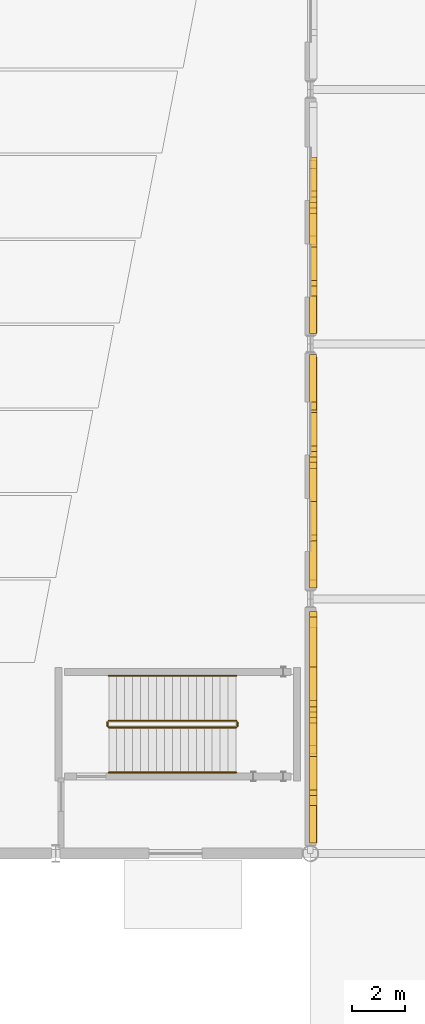
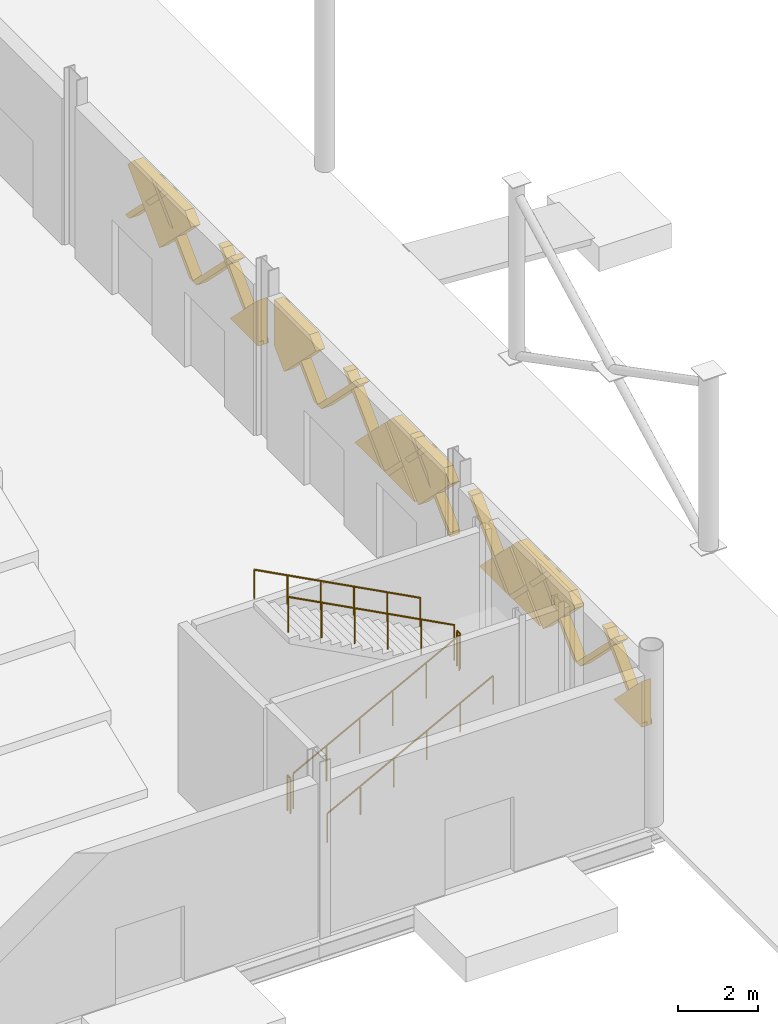
# One storey, part 82 of 84: 22 coverings, 6 railings.
"""IFC4 building model written with IfcOpenShell, lengths in metres."""

from ifc_helpers import new_model, si_unit, direction, frame, origin, origin_2d, place, context, subcontext, project, spatial, polyline, circle, outline, extrude, material, layer, layer_set, type_object, element, save


model = new_model("IFC4")

# Units and contexts
model_context = context("Model", 3, precision=1e-05, world=origin(), true_north=direction((0.0, 1.0)))
body_context = subcontext(model_context, "Body", "Model", "MODEL_VIEW")
ifc_project = project(units=[si_unit("LENGTHUNIT", "METRE"), si_unit("AREAUNIT", "SQUARE_METRE"), si_unit("VOLUMEUNIT", "CUBIC_METRE"), si_unit("PLANEANGLEUNIT", "RADIAN"), si_unit("MASSUNIT", "GRAM", prefix="KILO")], contexts=[model_context])

# Site, building, storey
site_placement = place(None, origin())
site = spatial("IfcSite", under=ifc_project, at=site_placement, CompositionType="ELEMENT")
building_placement = place(site_placement, origin())
building = spatial("IfcBuilding", under=site, at=building_placement, Name="Zevrakil Square Congress Hotel", CompositionType="ELEMENT")
storey_placement = place(building_placement, origin())
storey = spatial("IfcBuildingStorey", under=building, at=storey_placement, Name="L01", CompositionType="ELEMENT", Elevation=0.0)

# Coverings
ifc_material_1 = material(Name="Architectural White Fibre-C GRC", Category="concrete")
ifc_layer_1 = layer(ifc_material_1, 0.06494140625)
ifc_layer_set_1 = layer_set([ifc_layer_1], Name="Architectural White Fibre-C GRC")
covering_type_1 = type_object("IfcCoveringType", Name="COV-DIA-WHITE", PredefinedType="CLADDING", material=ifc_layer_set_1)
covering_1_placement = place(storey_placement, frame((165.830078125, 66.610107421875, 2.6298828125), z_axis=(0.999999760208, 0.0, 0.00069252061), x_axis=(0.0, -1.0, 0.0)))
element("IfcCovering", 1, at=covering_1_placement, inside=storey, type_object=covering_type_1, Name="L01 45-degree white GRC diamond facade cassette 875", PredefinedType="CLADDING", context=body_context, shape_type="SweptSolid", body=[
    extrude(outline(polyline([(0.0, 0.0), (1.41015625, 0.0), (1.41015625, -1.4101565881448694), (0.0, 0.0)])), origin(), (0.0, 0.0, -1.0), 0.27001953125),
])
covering_2_placement = place(storey_placement, frame((165.8291015625, 71.820068359375, 4.139892578125), z_axis=(0.999999790873, 0.0, 0.000646725815), x_axis=(0.000457304257, 0.707106707249, -0.707106707249)))
element("IfcCovering", 2, at=covering_2_placement, inside=storey, type_object=covering_type_1, Name="L01 45-degree white GRC diamond facade cassette 876", PredefinedType="CLADDING", context=body_context, shape_type="SweptSolid", body=[
    extrude(outline(polyline([(0.0, 0.0), (2.1354765131557993, 0.0), (4.465861884739297e-07, -2.1354765131557527), (0.0, 0.0)])), origin(), (0.0, 0.0, -1.0), 0.27001953125),
])
covering_3_placement = place(storey_placement, frame((165.8291015625, 71.72998046875, 4.22998046875), z_axis=(0.999999852381, 0.0, 0.00054335861), x_axis=(0.000384212577, -0.70710674489, -0.7071067131)))
element("IfcCovering", 3, at=covering_3_placement, inside=storey, type_object=covering_type_1, Name="L01 45-degree white GRC diamond facade cassette 877", PredefinedType="CLADDING", context=body_context, shape_type="SweptSolid", body=[
    extrude(outline(polyline([(0.0, 0.0), (2.248723975715265, 2.220446049250313e-16), (2.248551111376305, -2.248551342214891), (1.8031566423772092, -2.2485513802800514), (-8.378981605772218e-08, -0.4453944689990894), (0.0, 0.0)])), origin(), (0.0, 0.0, -1.0), 0.27001953125),
])
covering_4_placement = place(storey_placement, frame((165.8291015625, 78.06005859375, 4.139892578125), z_axis=(0.999999790873, 0.0, 0.000646725815), x_axis=(0.000457304257, 0.707106707249, -0.707106707249)))
element("IfcCovering", 4, at=covering_4_placement, inside=storey, type_object=covering_type_1, Name="L01 45-degree white GRC diamond facade cassette 908", PredefinedType="CLADDING", context=body_context, shape_type="SweptSolid", body=[
    extrude(outline(polyline([(0.0, 0.0), (2.1354765131557993, 0.0), (4.465861884739297e-07, -2.1354765131557527), (0.0, 0.0)])), origin(), (0.0, 0.0, -1.0), 0.27001953125),
])
covering_5_placement = place(storey_placement, frame((165.8291015625, 77.969970703125, 4.22998046875), z_axis=(0.999999853145, -7.12395e-07, 0.000541949885), x_axis=(0.000382712719, -0.70710674487, -0.707106713934)))
element("IfcCovering", 5, at=covering_5_placement, inside=storey, type_object=covering_type_1, Name="L01 45-degree white GRC diamond facade cassette 909", PredefinedType="CLADDING", context=body_context, shape_type="SweptSolid", body=[
    extrude(outline(polyline([(0.0, 0.0), (2.248723975910066, 2.220446049250313e-16), (2.248551111001002, -2.2343953970185124), (2.2343951660443135, -2.248551340510187), (1.803156642421577, -2.2485513802957735), (-8.369280657394285e-08, -0.44539446896308466), (0.0, 0.0)])), origin(), (0.0, 0.0, -1.0), 0.27001953125),
])
covering_6_placement = place(storey_placement, frame((165.829833984375, 83.10009765625, 2.639892578125), z_axis=(0.999999856777, 2.6416517e-05, 0.00053455357), x_axis=(-0.000359307179, -0.707106744967, 0.707106726117)))
element("IfcCovering", 6, at=covering_6_placement, inside=storey, type_object=covering_type_1, Name="L01 45-degree white GRC diamond facade cassette 910", PredefinedType="CLADDING", context=body_context, shape_type="SweptSolid", body=[
    extrude(outline(polyline([(0.0, 0.0), (2.2487239782945556, 4.440892098500626e-16), (2.2487240600795424, -0.44539446987381626), (0.9935060076735642, -1.7006126499939476), (7.829672288295342e-08, -0.7071068223993595), (0.0, 0.0)])), origin(), (0.0, 0.0, -1.0), 0.27001953125),
])
covering_7_placement = place(storey_placement, frame((165.830078125, 85.81005859375, 2.6298828125), z_axis=(0.999999760208, 0.0, 0.00069252061), x_axis=(0.0, -1.0, 0.0)))
element("IfcCovering", 7, at=covering_7_placement, inside=storey, type_object=covering_type_1, Name="L01 45-degree white GRC diamond facade cassette 940", PredefinedType="CLADDING", context=body_context, shape_type="SweptSolid", body=[
    extrude(outline(polyline([(0.0, 0.0), (1.41015625, 0.0), (1.41015625, -1.4101565881448694), (0.0, 0.0)])), origin(), (0.0, 0.0, -1.0), 0.27001953125),
])
covering_8_placement = place(storey_placement, frame((165.8291015625, 90.929931640625, 4.22998046875), z_axis=(0.999999852381, 0.0, 0.00054335861), x_axis=(0.000384242074, -0.707052454375, -0.707160999434)))
element("IfcCovering", 8, at=covering_8_placement, inside=storey, type_object=covering_type_1, Name="L01 45-degree white GRC diamond facade cassette 942", PredefinedType="CLADDING", context=body_context, shape_type="SweptSolid", body=[
    extrude(outline(polyline([(0.0, 0.0), (2.248551348859632, 0.0), (2.248378471249448, -2.2487239690700145), (1.8029840035601115, -2.24868981178257), (-3.4279142421073105e-05, -0.44539446767997504), (0.0, 0.0)])), origin(), (0.0, 0.0, -1.0), 0.27001953125),
])
ifc_material_2 = material(Name="Anodised Champagne Aluminium", Category="aluminium")
ifc_layer_2 = layer(ifc_material_2, 0.0849609375)
ifc_layer_set_2 = layer_set([ifc_layer_2], Name="Anodised Champagne Aluminium")
covering_type_2 = type_object("IfcCoveringType", Name="COV-DIAGRID-45", PredefinedType="MOLDING", material=ifc_layer_set_2)
covering_9_placement = place(storey_placement, frame((165.85498046875, 65.2861328125, 2.6298828125), z_axis=(0.99999987696, 0.000193286265, 0.000456858444), x_axis=(0.000193286245, -0.99999998132, 8.8304e-08)))
element("IfcCovering", 9, at=covering_9_placement, inside=storey, type_object=covering_type_2, Name="L01 45-degree aluminium diagrid rib 878", PredefinedType="MOLDING", context=body_context, shape_type="SweptSolid", body=[
    extrude(outline(polyline([(0.0, 0.0), (0.08618163901514503, 0.0), (0.08618165016099655, -0.12622068995262908), (-1.702880894404168, -1.915039420335393), (-1.9150390935660973, -1.915039420335393), (0.0, 0.0)])), origin(), (0.0, 0.0, -1.0), 0.294921875),
])
for number, where, z_axis, x_axis, name in (
    (10, (165.85498046875, 68.64599609375, 2.6298828125), (0.999999796842, 0.0, 0.000637429753), (0.0, -1.0, 0.0), "L01 45-degree aluminium diagrid rib 879"),
    (11, (165.85498046875, 72.006103515625, 2.6298828125), (0.999999796842, 0.0, 0.000637429753), (0.0, -1.0, 0.0), "L01 45-degree aluminium diagrid rib 880"),
):
    element("IfcCovering", number, at=place(storey_placement, frame(where, z_axis=z_axis, x_axis=x_axis)), inside=storey, type_object=covering_type_2, Name=name, PredefinedType="MOLDING", context=body_context, shape_type="SweptSolid", body=[
        extrude(outline(polyline([(0.0, 0.0), (0.212158203125, 0.0), (-1.702880859375, -1.9150394515562854), (-1.9150390625, -1.9150394515562854), (0.0, 0.0)])), origin(), (0.0, 0.0, -1.0), 0.294921875),
    ])
covering_10_placement = place(storey_placement, frame((165.853759765625, 66.35888671875, 4.544921875), z_axis=(0.999999796842, 0.0, 0.000637429753), x_axis=(0.0, 1.0, 0.0)))
element("IfcCovering", 12, at=covering_10_placement, inside=storey, type_object=covering_type_2, Name="L01 45-degree aluminium diagrid rib 881", PredefinedType="MOLDING", context=body_context, shape_type="SweptSolid", body=[
    extrude(outline(polyline([(0.0, 0.0), (0.212158203125, 0.0), (2.127197265625, -1.9150394515562854), (1.9150390625, -1.9150394515562854), (0.0, 0.0)])), origin(), (0.0, 0.0, -1.0), 0.294921875),
])
covering_11_placement = place(storey_placement, frame((165.853759765625, 69.718994140625, 4.544921875), z_axis=(0.999999796842, 0.0, 0.000637429753), x_axis=(0.0, 1.0, 0.0)))
element("IfcCovering", 13, at=covering_11_placement, inside=storey, type_object=covering_type_2, Name="L01 45-degree aluminium diagrid rib 882", PredefinedType="MOLDING", context=body_context, shape_type="SweptSolid", body=[
    extrude(outline(polyline([(0.0, 0.0), (0.212158203125, 0.0), (2.127197265625, -1.9150394515562854), (1.914794921875, -1.9150394515562854), (0.0, 0.0)])), origin(), (0.0, 0.0, -1.0), 0.294921875),
])
covering_12_placement = place(storey_placement, frame((165.85498046875, 74.885986328125, 2.6298828125), z_axis=(0.999999876977, 0.000193407177, 0.000456770142), x_axis=(0.000193407157, -0.999999981297, 8.8343e-08)))
element("IfcCovering", 14, at=covering_12_placement, inside=storey, type_object=covering_type_2, Name="L01 45-degree aluminium diagrid rib 911", PredefinedType="MOLDING", context=body_context, shape_type="SweptSolid", body=[
    extrude(outline(polyline([(0.0, 0.0), (0.08593749839269647, 1.137373342260413e-24), (0.08593750954336479, -0.12622068995772054), (-1.7028808944388751, -1.915039420304851), (-1.9150390935958446, -1.915039420304851), (0.0, 0.0)])), origin(), (0.0, 0.0, -1.0), 0.294921875),
])
covering_13_placement = place(storey_placement, frame((165.85498046875, 78.24609375, 2.6298828125), z_axis=(0.999999796842, 0.0, 0.000637429753), x_axis=(0.0, -1.0, 0.0)))
element("IfcCovering", 15, at=covering_13_placement, inside=storey, type_object=covering_type_2, Name="L01 45-degree aluminium diagrid rib 912", PredefinedType="MOLDING", context=body_context, shape_type="SweptSolid", body=[
    extrude(outline(polyline([(0.0, 0.0), (0.212158203125, 0.0), (-1.702880859375, -1.9150394515562854), (-1.9150390625, -1.9150394515562854), (0.0, 0.0)])), origin(), (0.0, 0.0, -1.0), 0.294921875),
])
covering_14_placement = place(storey_placement, frame((165.85498046875, 81.606201171875, 2.6298828125), z_axis=(0.999999796842, 0.0, 0.000637429753), x_axis=(0.0, -1.0, 0.0)))
element("IfcCovering", 16, at=covering_14_placement, inside=storey, type_object=covering_type_2, Name="L01 45-degree aluminium diagrid rib 913", PredefinedType="MOLDING", context=body_context, shape_type="SweptSolid", body=[
    extrude(outline(polyline([(0.0, 0.0), (0.21240234375, 0.0), (-1.70263671875, -1.9150394515562854), (-1.914794921875, -1.9150394515562854), (0.0, 0.0)])), origin(), (0.0, 0.0, -1.0), 0.294921875),
])
covering_15_placement = place(storey_placement, frame((165.853759765625, 75.958984375, 4.544921875), z_axis=(0.999999796842, 0.0, 0.000637429753), x_axis=(0.0, 1.0, 0.0)))
element("IfcCovering", 17, at=covering_15_placement, inside=storey, type_object=covering_type_2, Name="L01 45-degree aluminium diagrid rib 914", PredefinedType="MOLDING", context=body_context, shape_type="SweptSolid", body=[
    extrude(outline(polyline([(0.0, 0.0), (0.212158203125, 0.0), (2.127197265625, -1.9150394515562854), (1.914794921875, -1.9150394515562854), (0.0, 0.0)])), origin(), (0.0, 0.0, -1.0), 0.294921875),
])
covering_16_placement = place(storey_placement, frame((165.853759765625, 79.31884765625, 4.544921875), z_axis=(0.999999796842, 0.0, 0.000637429753), x_axis=(0.0, 1.0, 0.0)))
element("IfcCovering", 18, at=covering_16_placement, inside=storey, type_object=covering_type_2, Name="L01 45-degree aluminium diagrid rib 915", PredefinedType="MOLDING", context=body_context, shape_type="SweptSolid", body=[
    extrude(outline(polyline([(0.0, 0.0), (0.212158203125, 0.0), (2.127197265625, -1.9150394515562854), (1.9150390625, -1.9150394515562854), (0.0, 0.0)])), origin(), (0.0, 0.0, -1.0), 0.294921875),
])
covering_17_placement = place(storey_placement, frame((165.85498046875, 84.486083984375, 2.6298828125), z_axis=(0.99999987696, 0.000193286265, 0.000456858444), x_axis=(0.000193286245, -0.99999998132, 8.8304e-08)))
element("IfcCovering", 19, at=covering_17_placement, inside=storey, type_object=covering_type_2, Name="L01 45-degree aluminium diagrid rib 943", PredefinedType="MOLDING", context=body_context, shape_type="SweptSolid", body=[
    extrude(outline(polyline([(0.0, 0.0), (0.08618163901514503, 0.0), (0.08618165016099655, -0.12622068995262908), (-1.702880894404168, -1.915039420335393), (-1.9150390935660973, -1.915039420335393), (0.0, 0.0)])), origin(), (0.0, 0.0, -1.0), 0.294921875),
])
covering_18_placement = place(storey_placement, frame((165.85498046875, 87.84619140625, 2.6298828125), z_axis=(0.999999796842, 0.0, 0.000637429753), x_axis=(0.0, -1.0, 0.0)))
element("IfcCovering", 20, at=covering_18_placement, inside=storey, type_object=covering_type_2, Name="L01 45-degree aluminium diagrid rib 944", PredefinedType="MOLDING", context=body_context, shape_type="SweptSolid", body=[
    extrude(outline(polyline([(0.0, 0.0), (0.21240234375, 0.0), (-1.70263671875, -1.9150394515562854), (-1.914794921875, -1.9150394515562854), (0.0, 0.0)])), origin(), (0.0, 0.0, -1.0), 0.294921875),
])
for number, where, z_axis, x_axis, name in (
    (21, (165.853759765625, 85.558837890625, 4.544921875), (0.999999796842, 0.0, 0.000637429753), (0.0, 1.0, 0.0), "L01 45-degree aluminium diagrid rib 946"),
    (22, (165.853759765625, 88.9189453125, 4.544921875), (0.999999796842, 0.0, 0.000637429753), (0.0, 1.0, 0.0), "L01 45-degree aluminium diagrid rib 947"),
):
    element("IfcCovering", number, at=place(storey_placement, frame(where, z_axis=z_axis, x_axis=x_axis)), inside=storey, type_object=covering_type_2, Name=name, PredefinedType="MOLDING", context=body_context, shape_type="SweptSolid", body=[
        extrude(outline(polyline([(0.0, 0.0), (0.212158203125, 0.0), (2.127197265625, -1.9150394515562854), (1.9150390625, -1.9150394515562854), (0.0, 0.0)])), origin(), (0.0, 0.0, -1.0), 0.294921875),
    ])

# Railings
ifc_material_3 = material(Name="Steel S355", Category="steel")
railing_type_1 = type_object("IfcRailingType", Name="RLG-STAIR-GUARD-1100", PredefinedType="BALUSTRADE", material=ifc_material_3)
railing_1_placement = place(storey_placement, frame((158.0, 69.550048828125, 0.158935546875)))
element("IfcRailing", 23, at=railing_1_placement, inside=storey, type_object=railing_type_1, Name="L01 ST09 stair guard 1", PredefinedType="BALUSTRADE", context=body_context, shape_type="SweptSolid", body=[
    extrude(circle(Radius=0.02392578125, at=origin_2d()), frame((0.0, 0.0, 1.076171875), z_axis=(0.883802130504, 0.0, 0.467860870469), x_axis=(0.0, 1.0, 0.0)), (0.0, 0.0, 1.0), 5.43115234375),
    extrude(circle(Radius=0.02099609375, at=origin_2d()), origin(), (0.0, 0.0, 1.0), 1.052001953125),
    extrude(circle(Radius=0.02099609375, at=origin_2d()), frame((0.9599609375, 0.0, 0.50830078125)), (0.0, 0.0, 1.0), 1.052001953125),
    extrude(circle(Radius=0.02099609375, at=origin_2d()), frame((1.919921875, 0.0, 1.016357421875)), (0.0, 0.0, 1.0), 1.052001953125),
    extrude(circle(Radius=0.02099609375, at=origin_2d()), frame((2.880126953125, 0.0, 1.524658203125)), (0.0, 0.0, 1.0), 1.052001953125),
    extrude(circle(Radius=0.02099609375, at=origin_2d()), frame((3.840087890625, 0.0, 2.03271484375)), (0.0, 0.0, 1.0), 1.052001953125),
    extrude(circle(Radius=0.02099609375, at=origin_2d()), frame((4.800048828125, 0.0, 2.541015625)), (0.0, 0.0, 1.0), 1.052001953125),
])
railing_2_placement = place(storey_placement, frame((162.85009765625, 69.60009765625, 2.699951171875)))
element("IfcRailing", 24, at=railing_2_placement, inside=storey, type_object=railing_type_1, Name="L01 ST09 stair guard 2", PredefinedType="BALUSTRADE", context=body_context, shape_type="SweptSolid", body=[
    extrude(circle(Radius=0.02392578125, at=origin_2d()), frame((0.0, 0.0, 1.076171875), z_axis=(0.0, 1.0, 0.0), x_axis=(-1.0, 0.0, 0.0)), (0.0, 0.0, 1.0), 0.14990234375),
    extrude(circle(Radius=0.02099609375, at=origin_2d()), origin(), (0.0, 0.0, 1.0), 1.052001953125),
    extrude(circle(Radius=0.02099609375, at=origin_2d()), frame((0.0, 0.14990234375, 0.0)), (0.0, 0.0, 1.0), 1.052001953125),
])
railing_3_placement = place(storey_placement, frame((162.800048828125, 69.800048828125, 2.85888671875)))
element("IfcRailing", 25, at=railing_3_placement, inside=storey, type_object=railing_type_1, Name="L01 ST09 stair guard 3", PredefinedType="BALUSTRADE", context=body_context, shape_type="SweptSolid", body=[
    extrude(circle(Radius=0.02392578125, at=origin_2d()), frame((0.0, 0.0, 1.076171875), z_axis=(-0.883802130504, 0.0, 0.467860870469), x_axis=(0.0, -1.0, 0.0)), (0.0, 0.0, 1.0), 5.43115234375),
    extrude(circle(Radius=0.02099609375, at=origin_2d()), origin(), (0.0, 0.0, 1.0), 1.052001953125),
    extrude(circle(Radius=0.02099609375, at=origin_2d()), frame((-0.9599609375, 0.0, 0.50830078125)), (0.0, 0.0, 1.0), 1.052001953125),
    extrude(circle(Radius=0.02099609375, at=origin_2d()), frame((-1.919921875, 0.0, 1.016357421875)), (0.0, 0.0, 1.0), 1.052001953125),
    extrude(circle(Radius=0.02099609375, at=origin_2d()), frame((-2.880126953125, 0.0, 1.524658203125)), (0.0, 0.0, 1.0), 1.052001953125),
    extrude(circle(Radius=0.02099609375, at=origin_2d()), frame((-3.840087890625, 0.0, 2.03271484375)), (0.0, 0.0, 1.0), 1.052001953125),
    extrude(circle(Radius=0.02099609375, at=origin_2d()), frame((-4.800048828125, 0.0, 2.541015625)), (0.0, 0.0, 1.0), 1.052001953125),
])
railing_4_placement = place(storey_placement, frame((157.949951171875, 69.60009765625, 0.0)))
element("IfcRailing", 26, at=railing_4_placement, inside=storey, type_object=railing_type_1, Name="L01 ST09 stair guard 4", PredefinedType="BALUSTRADE", context=body_context, shape_type="SweptSolid", body=[
    extrude(circle(Radius=0.02392578125, at=origin_2d()), frame((0.0, 0.0, 1.076171875), z_axis=(0.0, 1.0, 0.0), x_axis=(-1.0, 0.0, 0.0)), (0.0, 0.0, 1.0), 0.14990234375),
    extrude(circle(Radius=0.02099609375, at=origin_2d()), origin(), (0.0, 0.0, 1.0), 1.052001953125),
    extrude(circle(Radius=0.02099609375, at=origin_2d()), frame((0.0, 0.14990234375, 0.0)), (0.0, 0.0, 1.0), 1.052001953125),
])
ifc_material_4 = material(Name="Steel S355", Category="steel")
railing_type_2 = type_object("IfcRailingType", Name="RLG-STAIR-HAND-900", PredefinedType="HANDRAIL", material=ifc_material_4)
railing_5_placement = place(storey_placement, frame((158.0, 67.85009765625, 0.158935546875)))
element("IfcRailing", 27, at=railing_5_placement, inside=storey, type_object=railing_type_2, Name="L01 ST09 stair handrail 1", PredefinedType="HANDRAIL", context=body_context, shape_type="SweptSolid", body=[
    extrude(circle(Radius=0.02392578125, at=origin_2d()), frame((0.0, 0.0, 0.8759765625), z_axis=(0.883802130504, 0.0, 0.467860870469), x_axis=(0.0, 1.0, 0.0)), (0.0, 0.0, 1.0), 5.43115234375),
    extrude(circle(Radius=0.02099609375, at=origin_2d()), origin(), (0.0, 0.0, 1.0), 0.851806640625),
    extrude(circle(Radius=0.02099609375, at=origin_2d()), frame((0.9599609375, 0.0, 0.50830078125)), (0.0, 0.0, 1.0), 0.851806640625),
    extrude(circle(Radius=0.02099609375, at=origin_2d()), frame((1.919921875, 0.0, 1.016357421875)), (0.0, 0.0, 1.0), 0.851806640625),
    extrude(circle(Radius=0.02099609375, at=origin_2d()), frame((2.880126953125, 0.0, 1.524658203125)), (0.0, 0.0, 1.0), 0.851806640625),
    extrude(circle(Radius=0.02099609375, at=origin_2d()), frame((3.840087890625, 0.0, 2.03271484375)), (0.0, 0.0, 1.0), 0.851806640625),
    extrude(circle(Radius=0.02099609375, at=origin_2d()), frame((4.800048828125, 0.0, 2.541015625)), (0.0, 0.0, 1.0), 0.851806640625),
])
railing_6_placement = place(storey_placement, frame((162.800048828125, 71.5, 2.85888671875)))
element("IfcRailing", 28, at=railing_6_placement, inside=storey, type_object=railing_type_2, Name="L01 ST09 stair handrail 2", PredefinedType="HANDRAIL", context=body_context, shape_type="SweptSolid", body=[
    extrude(circle(Radius=0.02392578125, at=origin_2d()), frame((0.0, 0.0, 0.8759765625), z_axis=(-0.883802130504, 0.0, 0.467860870469), x_axis=(0.0, -1.0, 0.0)), (0.0, 0.0, 1.0), 5.43115234375),
    extrude(circle(Radius=0.02099609375, at=origin_2d()), origin(), (0.0, 0.0, 1.0), 0.851806640625),
    extrude(circle(Radius=0.02099609375, at=origin_2d()), frame((-0.9599609375, 0.0, 0.50830078125)), (0.0, 0.0, 1.0), 0.851806640625),
    extrude(circle(Radius=0.02099609375, at=origin_2d()), frame((-1.919921875, 0.0, 1.016357421875)), (0.0, 0.0, 1.0), 0.851806640625),
    extrude(circle(Radius=0.02099609375, at=origin_2d()), frame((-2.880126953125, 0.0, 1.524658203125)), (0.0, 0.0, 1.0), 0.851806640625),
    extrude(circle(Radius=0.02099609375, at=origin_2d()), frame((-3.840087890625, 0.0, 2.03271484375)), (0.0, 0.0, 1.0), 0.851806640625),
    extrude(circle(Radius=0.02099609375, at=origin_2d()), frame((-4.800048828125, 0.0, 2.541015625)), (0.0, 0.0, 1.0), 0.851806640625),
])

save(model, "model.ifc")
